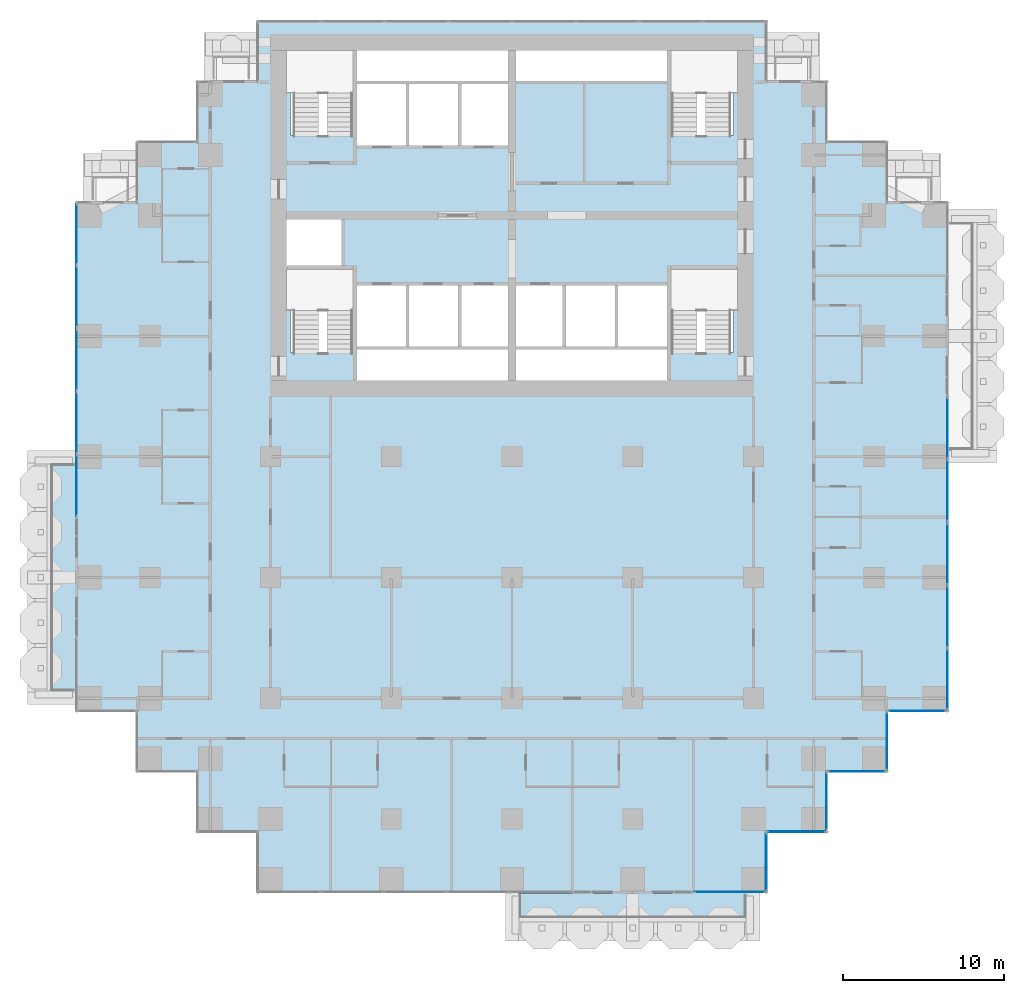
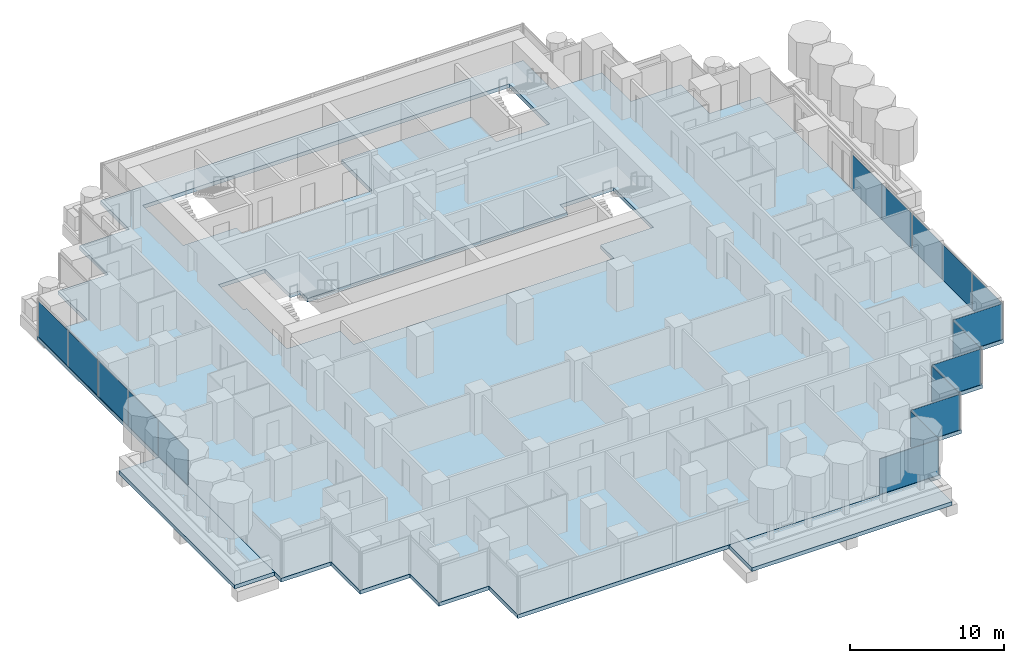
# One storey, part 8 of 19: 17 plates, 3 slabs, 11 elements without a shape of their own.
"""IFC4 building model written with IfcOpenShell, lengths in metres."""

import ifcopenshell
import ifcopenshell.guid

model = None  # the IFC model being written
_history = None  # IfcOwnerHistory: only IFC2X3 demands one
_inside = {}  # id of a spatial element -> (the spatial element, [elements in it])
_under = {}  # id of a project, library or spatial element -> (it, [spatial elements below it])
_declared = {}  # id of a project -> (the project, [libraries it declares])
_typed = {}  # id of a type object -> (the type object, [elements of that type])
_made_of = {}  # id of a material, layer set ... -> (it, [elements and type objects made of it])


def new_model(schema):
    """Start an empty IFC model of exactly this schema.

    Asked for "IFC4X3", IfcOpenShell would pick the latest addendum, in which some entities
    have other attributes; the version numbers below select the first issue.
    IFC2X3 requires an IfcOwnerHistory on every rooted entity: one is made here for all.
    """
    global model, _history
    if schema == "IFC4X3":
        model = ifcopenshell.file(schema_version=(4, 3, 0, 0))
    else:
        model = ifcopenshell.file(schema=schema)
    _inside.clear()
    _under.clear()
    _declared.clear()
    _typed.clear()
    _made_of.clear()
    _history = None
    if model.schema == "IFC2X3":
        org = make("IfcOrganization", Name="unknown")
        user = make(
            "IfcPersonAndOrganization",
            ThePerson=make("IfcPerson", FamilyName="unknown"),
            TheOrganization=org,
        )
        app = make(
            "IfcApplication",
            ApplicationDeveloper=org,
            Version="unknown",
            ApplicationFullName="unknown",
            ApplicationIdentifier="unknown",
        )
        _history = make(
            "IfcOwnerHistory",
            OwningUser=user,
            OwningApplication=app,
            ChangeAction="ADDED",
            CreationDate=0,
        )
    return model


def make(cls, **values):
    """One entity of the class cls with the attributes given. An attribute that is None is left unset."""
    return model.create_entity(
        cls, **{name: value for name, value in values.items() if value is not None}
    )


def rooted(cls, **values):
    """An entity with a GlobalId (a new one), such as an element, a storey or a relation."""
    return make(cls, GlobalId=ifcopenshell.guid.new(), OwnerHistory=_history, **values)


def si_unit(unit_type, name, prefix=None):
    """IfcSIUnit, for example si_unit("LENGTHUNIT", "METRE", prefix="MILLI")."""
    return make("IfcSIUnit", UnitType=unit_type, Prefix=prefix, Name=name)


def assignment(units):
    """IfcUnitAssignment: the units of a project."""
    return None if units is None else make("IfcUnitAssignment", Units=units)


def point(xyz):
    """IfcCartesianPoint."""
    return None if xyz is None else make("IfcCartesianPoint", Coordinates=xyz)


def direction(xyz):
    """IfcDirection."""
    return None if xyz is None else make("IfcDirection", DirectionRatios=xyz)


def frame(location, z_axis=None, x_axis=None):
    """IfcAxis2Placement3D, a coordinate frame: its origin and axes. An axis left out is left unset."""
    return make(
        "IfcAxis2Placement3D",
        Location=point(location),
        Axis=direction(z_axis),
        RefDirection=direction(x_axis),
    )


def frame_2d(location, x_axis=None):
    """IfcAxis2Placement2D, a coordinate frame in the plane: its origin and x axis."""
    return make(
        "IfcAxis2Placement2D", Location=point(location), RefDirection=direction(x_axis)
    )


def origin():
    """The frame at (0, 0, 0) with its axes left unset."""
    return frame((0.0, 0.0, 0.0))


def origin_2d():
    """The frame at (0, 0) in the plane with its x axis left unset."""
    return frame_2d((0.0, 0.0))


def place(relative_to, where):
    """IfcLocalPlacement: puts the frame where relative to a parent placement (None: the world)."""
    return make(
        "IfcLocalPlacement", PlacementRelTo=relative_to, RelativePlacement=where
    )


def context(
    kind, dimensions, precision=None, world=None, true_north=None, identifier=None
):
    """IfcGeometricRepresentationContext, for example the 3D "Model" context."""
    return make(
        "IfcGeometricRepresentationContext",
        ContextIdentifier=identifier,
        ContextType=kind,
        CoordinateSpaceDimension=dimensions,
        Precision=precision,
        WorldCoordinateSystem=world,
        TrueNorth=true_north,
    )


def subcontext(parent, identifier, kind, view, scale=None):
    """IfcGeometricRepresentationSubContext, for example "Body" below "Model"."""
    return make(
        "IfcGeometricRepresentationSubContext",
        ContextIdentifier=identifier,
        ContextType=kind,
        ParentContext=parent,
        TargetScale=scale,
        TargetView=view,
    )


def project(units=None, contexts=None):
    """IfcProject with its units and contexts."""
    return rooted(
        "IfcProject",
        Name="project",
        RepresentationContexts=contexts,
        UnitsInContext=assignment(units),
    )


def spatial(cls, under=None, at=None, **own):
    """A site, building, storey or space (cls), placed at a placement, below another one or the project."""
    s = rooted(cls, ObjectPlacement=at, **own)
    if under is not None:
        _under.setdefault(under.id(), (under, []))[1].append(s)
    return s


def polyline(points):
    """IfcPolyline through the points."""
    return make("IfcPolyline", Points=[point(p) for p in points])


def profile(cls, at=None, kind="AREA", **sizes):
    """A parametric profile (cls). Its sizes go by their IFC names, for example OverallWidth=200.0."""
    return make(cls, ProfileType=kind, Position=at, **sizes)


def rectangle(**sizes):
    """IfcRectangleProfileDef."""
    return profile("IfcRectangleProfileDef", **sizes)


def outline(outer, holes=None, kind="AREA"):
    """IfcArbitraryClosedProfileDef: a profile drawn as a closed curve; with holes, ...WithVoids."""
    if holes is None:
        return make("IfcArbitraryClosedProfileDef", ProfileType=kind, OuterCurve=outer)
    return make(
        "IfcArbitraryProfileDefWithVoids",
        ProfileType=kind,
        OuterCurve=outer,
        InnerCurves=holes,
    )


def extrude(swept, where, along, depth):
    """IfcExtrudedAreaSolid: the profile swept, set in the frame where, extruded along a direction by depth."""
    return make(
        "IfcExtrudedAreaSolid",
        SweptArea=swept,
        Position=where,
        ExtrudedDirection=direction(along),
        Depth=depth,
    )


def shape(context_of_items, identifier, shape_type, items):
    """IfcShapeRepresentation: the items that make up one representation, for example the "Body"."""
    return make(
        "IfcShapeRepresentation",
        ContextOfItems=context_of_items,
        RepresentationIdentifier=identifier,
        RepresentationType=shape_type,
        Items=items,
    )


def material(Name=None, Category=None):
    """IfcMaterial."""
    return make("IfcMaterial", Name=Name, Category=Category)


def layer(
    of_material, thickness, ventilated=None, Name=None, Category=None, Priority=None
):
    """IfcMaterialLayer: one layer of a wall or slab, of a material (None: an air gap)."""
    return make(
        "IfcMaterialLayer",
        Material=of_material,
        LayerThickness=thickness,
        IsVentilated=ventilated,
        Name=Name,
        Category=Category,
        Priority=Priority,
    )


def layer_set(layers, Name=None):
    """IfcMaterialLayerSet."""
    return make("IfcMaterialLayerSet", MaterialLayers=layers, LayerSetName=Name)


def made_of(thing, what):
    """Note that an element or type object is made of a material, layer set ...; save() writes the relation."""
    if what is not None:
        _made_of.setdefault(what.id(), (what, []))[1].append(thing)
    return thing


def type_object(cls, material=None, **own):
    """A type object (cls), such as IfcWallType, which elements share."""
    return made_of(rooted(cls, **own), material)


def element(
    cls,
    number,
    at=None,
    inside=None,
    cuts=None,
    type_object=None,
    material=None,
    context=None,
    identifier="Body",
    shape_type=None,
    held_by="IfcProductDefinitionShape",
    body=None,
    shapes=None,
    **own,
):
    """One element of the class cls, such as IfcWall. Its Tag is "e" and its number.

    at: its placement. inside: the storey or other place that contains it. cuts: it is an
    opening in that element (IfcRelVoidsElement). A single representation is given by context,
    identifier, shape_type and body (its items); several are given by shapes. held_by: the class
    of the entity that holds the representations. save() writes the other relations.
    """
    e = rooted(cls, Tag="e%d" % number, ObjectPlacement=at, **own)
    if body is not None:
        shapes = [shape(context, identifier, shape_type, body)]
    if shapes is not None:
        e.Representation = make(held_by, Representations=shapes)
    if inside is not None:
        _inside.setdefault(inside.id(), (inside, []))[1].append(e)
    if cuts is not None:
        rooted(
            "IfcRelVoidsElement", RelatingBuildingElement=cuts, RelatedOpeningElement=e
        )
    if type_object is not None:
        _typed.setdefault(type_object.id(), (type_object, []))[1].append(e)
    return made_of(e, material)


def aggregate(whole, parts):
    """IfcRelAggregates: a whole, such as a stair, and the parts it consists of."""
    return rooted("IfcRelAggregates", RelatingObject=whole, RelatedObjects=parts)


def save(model, path):
    """Write the relations noted so far, then the file.

    IfcRelAggregates (storeys below a building ...), IfcRelContainedInSpatialStructure (elements
    in a storey), IfcRelDefinesByType, IfcRelAssociatesMaterial and IfcRelDeclares: one each for
    every whole, place, type object, material and project.
    """
    for whole, parts in _under.values():
        aggregate(whole, parts)
    for where, things in _inside.values():
        rooted(
            "IfcRelContainedInSpatialStructure",
            RelatedElements=things,
            RelatingStructure=where,
        )
    for kind, things in _typed.values():
        rooted("IfcRelDefinesByType", RelatedObjects=things, RelatingType=kind)
    for what, things in _made_of.values():
        rooted("IfcRelAssociatesMaterial", RelatedObjects=things, RelatingMaterial=what)
    for by, libraries in _declared.values():
        rooted("IfcRelDeclares", RelatingContext=by, RelatedDefinitions=libraries)
    model.write(path)


model = new_model("IFC4")

# Units and contexts
model_context = context("Model", 3, precision=1e-05, world=origin(), true_north=direction((0.0, 1.0)))
body_context = subcontext(model_context, "Body", "Model", "MODEL_VIEW")
ifc_project = project(units=[si_unit("LENGTHUNIT", "METRE"), si_unit("AREAUNIT", "SQUARE_METRE"), si_unit("VOLUMEUNIT", "CUBIC_METRE"), si_unit("PLANEANGLEUNIT", "RADIAN"), si_unit("MASSUNIT", "GRAM", prefix="KILO")], contexts=[model_context])

# Site, building, storey
site_placement = place(None, origin())
site = spatial("IfcSite", under=ifc_project, at=site_placement, CompositionType="ELEMENT")
building_placement = place(site_placement, origin())
building = spatial("IfcBuilding", under=site, at=building_placement, Name="Pilkhan Gate Tower", CompositionType="ELEMENT")
storey_placement = place(building_placement, frame((0.0, 0.0, 79.10009765625)))
storey = spatial("IfcBuildingStorey", under=building, at=storey_placement, Name="L18", CompositionType="ELEMENT", Elevation=79.10009765625)

# Slabs
ifc_material_1 = material(Name="Concrete C60/75", Category="concrete")
ifc_layer_1 = layer(ifc_material_1, 0.300048828125)
ifc_layer_set_1 = layer_set([ifc_layer_1], Name="Balcony tray slab TR300")
slab_type_1 = type_object("IfcSlabType", Name="Balcony tray slab TR300", PredefinedType="FLOOR", material=ifc_layer_set_1)
slab_1_placement = place(storey_placement, frame((0.0, 0.0, -0.300048828125)))
element("IfcSlab", 1, at=slab_1_placement, inside=storey, type_object=slab_type_1, Name="Balcony tray L18 S", PredefinedType="FLOOR", context=body_context, shape_type="SweptSolid", body=[
    extrude(outline(polyline([(90.0, 37.39990234375), (90.0, 40.39990234375), (75.0, 40.39990234375), (75.0, 37.39990234375), (90.0, 37.39990234375)])), origin(), (0.0, 0.0, 1.0), 0.300048828125),
])
slab_2_placement = place(storey_placement, frame((0.0, 0.0, -0.300048828125)))
element("IfcSlab", 2, at=slab_2_placement, inside=storey, type_object=slab_type_1, Name="Balcony tray L18 W", PredefinedType="FLOOR", context=body_context, shape_type="SweptSolid", body=[
    extrude(outline(polyline([(47.89990234375, 52.5), (47.89990234375, 67.5), (44.89990234375, 67.5), (44.89990234375, 52.5), (47.89990234375, 52.5)])), origin(), (0.0, 0.0, 1.0), 0.300048828125),
])
ifc_material_2 = material(Name="Concrete C40/50", Category="concrete")
ifc_layer_2 = layer(ifc_material_2, 0.300048828125)
ifc_layer_set_2 = layer_set([ifc_layer_2], Name="Flat plate slab FP300")
slab_type_2 = type_object("IfcSlabType", Name="Flat plate slab FP300", PredefinedType="FLOOR", material=ifc_layer_set_2)
slab_3_placement = place(storey_placement, frame((0.0, 0.0, -0.300048828125)))
element("IfcSlab", 3, at=slab_3_placement, inside=storey, type_object=slab_type_2, Name="Floor slab L18", PredefinedType="FLOOR", context=body_context, shape_type="SweptSolid", body=[
    extrude(outline(polyline([(98.35009765625, 47.89990234375), (94.60009765625, 47.89990234375), (94.60009765625, 44.14990234375), (90.85009765625, 44.14990234375), (90.85009765625, 40.39990234375), (59.14990234375, 40.39990234375), (59.14990234375, 44.14990234375), (55.39990234375, 44.14990234375), (55.39990234375, 47.89990234375), (51.64990234375, 47.89990234375), (51.64990234375, 51.64990234375), (47.89990234375, 51.64990234375), (47.89990234375, 83.35009765625), (51.64990234375, 83.35009765625), (51.64990234375, 87.10009765625), (55.39990234375, 87.10009765625), (55.39990234375, 90.85009765625), (59.14990234375, 90.85009765625), (59.14990234375, 94.60009765625), (90.85009765625, 94.60009765625), (90.85009765625, 90.85009765625), (94.60009765625, 90.85009765625), (94.60009765625, 87.10009765625), (98.35009765625, 87.10009765625), (98.35009765625, 83.35009765625), (102.10009765625, 83.35009765625), (102.10009765625, 51.64990234375), (98.35009765625, 51.64990234375), (98.35009765625, 47.89990234375)]), holes=[polyline([(65.25, 87.5), (65.25, 86.75), (68.5, 86.75), (71.75, 86.75), (75.0, 86.75), (75.0, 90.75), (84.75, 90.75), (84.75, 87.5), (88.75, 87.5), (88.75, 92.75), (84.75, 92.75), (75.0, 92.75), (65.25, 92.75), (61.25, 92.75), (61.25, 87.5), (65.25, 87.5)]), polyline([(75.0, 72.25), (84.75, 72.25), (84.75, 74.0), (88.75, 74.0), (88.75, 79.25), (84.75, 79.25), (84.75, 78.25), (81.5, 78.25), (78.25, 78.25), (75.0, 78.25), (71.75, 78.25), (68.5, 78.25), (65.25, 78.25), (65.25, 79.25), (64.5, 79.25), (64.5, 82.5), (61.25, 82.5), (61.0, 82.5), (61.0, 79.25), (61.25, 79.25), (61.25, 74.0), (65.25, 74.0), (65.25, 72.25), (75.0, 72.25)])]), origin(), (0.0, 0.0, 1.0), 0.300048828125),
])

# Curtain wall, plates
ifc_material_3 = material(Name="Pale anodised aluminium, clear low-iron double glazing", Category="aluminium")
curtain_wall_type = type_object("IfcCurtainWallType", Name="Hotel unitised curtain wall CW-H", PredefinedType="USERDEFINED", material=ifc_material_3)
curtain_wall_1_placement = place(storey_placement, origin())
curtain_wall_1 = element("IfcCurtainWall", 4, at=curtain_wall_1_placement, inside=storey, type_object=curtain_wall_type, Name="Hotel unitised curtain wall CW-H L18 E", ObjectType="UNITISED CURTAIN WALL", PredefinedType="USERDEFINED")
ifc_material_4 = material(Name="Clear low-iron double glazing", Category="glass")
ifc_layer_3 = layer(ifc_material_4, 0.035888671875)
ifc_layer_set_3 = layer_set([ifc_layer_3], Name="Glass panel CW-H 36")
plate_type = type_object("IfcPlateType", Name="Glass panel CW-H 36", PredefinedType="CURTAIN_PANEL", material=ifc_layer_set_3)
plate_1_placement = place(storey_placement, frame((102.044921875, 53.67578125, 0.0), z_axis=(0.0, 0.0, 1.0), x_axis=(0.0, 1.0, 0.0)))
plate_1 = element("IfcPlate", 5, at=plate_1_placement, type_object=plate_type, Name="CW-H panel 1", PredefinedType="CURTAIN_PANEL", context=body_context, shape_type="SweptSolid", body=[
    extrude(rectangle(XDim=3.8115234375, YDim=0.035888671875, at=origin_2d()), origin(), (0.0, 0.0, 1.0), 2.820068359375),
])
plate_2_placement = place(storey_placement, frame((102.044921875, 57.568603515625, 0.0), z_axis=(0.0, 0.0, 1.0), x_axis=(0.0, 1.0, 0.0)))
plate_2 = element("IfcPlate", 6, at=plate_2_placement, type_object=plate_type, Name="CW-H panel 2", PredefinedType="CURTAIN_PANEL", context=body_context, shape_type="SweptSolid", body=[
    extrude(rectangle(XDim=3.843994140625, YDim=0.035888671875, at=origin_2d()), origin(), (0.0, 0.0, 1.0), 2.820068359375),
])
plate_3_placement = place(storey_placement, frame((102.044921875, 61.461181640625, 0.0), z_axis=(0.0, 0.0, 1.0), x_axis=(0.0, 1.0, 0.0)))
plate_3 = element("IfcPlate", 7, at=plate_3_placement, type_object=plate_type, Name="CW-H panel 3", PredefinedType="CURTAIN_PANEL", context=body_context, shape_type="SweptSolid", body=[
    extrude(rectangle(XDim=3.8115234375, YDim=0.035888671875, at=origin_2d()), origin(), (0.0, 0.0, 1.0), 2.820068359375),
])
aggregate(curtain_wall_1, [plate_1, plate_2, plate_3])

curtain_wall_2_placement = place(storey_placement, origin())
curtain_wall_2 = element("IfcCurtainWall", 8, at=curtain_wall_2_placement, inside=storey, type_object=curtain_wall_type, Name="Hotel unitised curtain wall CW-H L18 E", ObjectType="UNITISED CURTAIN WALL", PredefinedType="USERDEFINED")
plate_4_placement = place(storey_placement, frame((102.044921875, 65.40283203125, 0.0), z_axis=(0.0, 0.0, 1.0), x_axis=(0.0, 1.0, 0.0)))
plate_4 = element("IfcPlate", 9, at=plate_4_placement, type_object=plate_type, Name="CW-H panel 1", PredefinedType="CURTAIN_PANEL", context=body_context, shape_type="SweptSolid", body=[
    extrude(rectangle(XDim=3.8115234375, YDim=0.035888671875, at=origin_2d()), origin(), (0.0, 0.0, 1.0), 2.820068359375),
])
plate_5_placement = place(storey_placement, frame((102.044921875, 69.279296875, 0.0), z_axis=(0.0, 0.0, 1.0), x_axis=(0.0, 1.0, 0.0)))
plate_5 = element("IfcPlate", 10, at=plate_5_placement, type_object=plate_type, Name="CW-H panel 2", PredefinedType="CURTAIN_PANEL", context=body_context, shape_type="SweptSolid", body=[
    extrude(rectangle(XDim=3.8115234375, YDim=0.035888671875, at=origin_2d()), origin(), (0.0, 0.0, 1.0), 2.820068359375),
])
aggregate(curtain_wall_2, [plate_4, plate_5])

curtain_wall_3_placement = place(storey_placement, origin())
curtain_wall_3 = element("IfcCurtainWall", 11, at=curtain_wall_3_placement, inside=storey, type_object=curtain_wall_type, Name="Hotel unitised curtain wall CW-H L18 W", ObjectType="UNITISED CURTAIN WALL", PredefinedType="USERDEFINED")
plate_6_placement = place(storey_placement, frame((47.955078125, 65.720703125, 0.0), z_axis=(0.0, 0.0, 1.0), x_axis=(0.0, 1.0, 0.0)))
plate_6 = element("IfcPlate", 12, at=plate_6_placement, type_object=plate_type, Name="CW-H panel 1", PredefinedType="CURTAIN_PANEL", context=body_context, shape_type="SweptSolid", body=[
    extrude(rectangle(XDim=3.8115234375, YDim=0.035888671875, at=origin_2d()), origin(), (0.0, 0.0, 1.0), 2.820068359375),
])
plate_7_placement = place(storey_placement, frame((47.955078125, 69.613525390625, 0.0), z_axis=(0.0, 0.0, 1.0), x_axis=(0.0, 1.0, 0.0)))
plate_7 = element("IfcPlate", 13, at=plate_7_placement, type_object=plate_type, Name="CW-H panel 2", PredefinedType="CURTAIN_PANEL", context=body_context, shape_type="SweptSolid", body=[
    extrude(rectangle(XDim=3.843994140625, YDim=0.035888671875, at=origin_2d()), origin(), (0.0, 0.0, 1.0), 2.820068359375),
])
plate_8_placement = place(storey_placement, frame((47.955078125, 73.50634765625, 0.0), z_axis=(0.0, 0.0, 1.0), x_axis=(0.0, 1.0, 0.0)))
plate_8 = element("IfcPlate", 14, at=plate_8_placement, type_object=plate_type, Name="CW-H panel 3", PredefinedType="CURTAIN_PANEL", context=body_context, shape_type="SweptSolid", body=[
    extrude(rectangle(XDim=3.8115234375, YDim=0.035888671875, at=origin_2d()), origin(), (0.0, 0.0, 1.0), 2.820068359375),
])
aggregate(curtain_wall_3, [plate_6, plate_7, plate_8])

curtain_wall_4_placement = place(storey_placement, origin())
curtain_wall_4 = element("IfcCurtainWall", 15, at=curtain_wall_4_placement, inside=storey, type_object=curtain_wall_type, Name="Hotel unitised curtain wall CW-H L18 W", ObjectType="UNITISED CURTAIN WALL", PredefinedType="USERDEFINED")
plate_9_placement = place(storey_placement, frame((47.955078125, 77.44775390625, 0.0), z_axis=(0.0, 0.0, 1.0), x_axis=(0.0, 1.0, 0.0)))
plate_9 = element("IfcPlate", 16, at=plate_9_placement, type_object=plate_type, Name="CW-H panel 1", PredefinedType="CURTAIN_PANEL", context=body_context, shape_type="SweptSolid", body=[
    extrude(rectangle(XDim=3.8115234375, YDim=0.035888671875, at=origin_2d()), origin(), (0.0, 0.0, 1.0), 2.820068359375),
])
plate_10_placement = place(storey_placement, frame((47.955078125, 81.32421875, 0.0), z_axis=(0.0, 0.0, 1.0), x_axis=(0.0, 1.0, 0.0)))
plate_10 = element("IfcPlate", 17, at=plate_10_placement, type_object=plate_type, Name="CW-H panel 2", PredefinedType="CURTAIN_PANEL", context=body_context, shape_type="SweptSolid", body=[
    extrude(rectangle(XDim=3.8115234375, YDim=0.035888671875, at=origin_2d()), origin(), (0.0, 0.0, 1.0), 2.820068359375),
])
aggregate(curtain_wall_4, [plate_9, plate_10])

# Curtain wall, plate
curtain_wall_5_placement = place(storey_placement, origin())
curtain_wall_5 = element("IfcCurtainWall", 18, at=curtain_wall_5_placement, inside=storey, type_object=curtain_wall_type, Name="Hotel unitised curtain wall CW-H L18 S", ObjectType="UNITISED CURTAIN WALL", PredefinedType="USERDEFINED")
plate_11_placement = place(storey_placement, frame((88.5224609375, 40.455078125, 0.0), z_axis=(0.0, 0.0, 1.0), x_axis=(1.0, 0.0, 0.0)))
plate_11 = element("IfcPlate", 19, at=plate_11_placement, type_object=plate_type, Name="CW-H panel 1", PredefinedType="CURTAIN_PANEL", context=body_context, shape_type="SweptSolid", body=[
    extrude(rectangle(XDim=4.4150390625, YDim=0.035888671875, at=origin_2d()), origin(), (0.0, 0.0, 1.0), 2.820068359375),
])
aggregate(curtain_wall_5, [plate_11])

curtain_wall_6_placement = place(storey_placement, origin())
curtain_wall_6 = element("IfcCurtainWall", 20, at=curtain_wall_6_placement, inside=storey, type_object=curtain_wall_type, Name="Hotel unitised curtain wall CW-H L18 E", ObjectType="UNITISED CURTAIN WALL", PredefinedType="USERDEFINED")
plate_12_placement = place(storey_placement, frame((90.794921875, 42.330078125, 0.0), z_axis=(0.0, 0.0, 1.0), x_axis=(0.0, 1.0, 0.0)))
plate_12 = element("IfcPlate", 21, at=plate_12_placement, type_object=plate_type, Name="CW-H panel 1", PredefinedType="CURTAIN_PANEL", context=body_context, shape_type="SweptSolid", body=[
    extrude(rectangle(XDim=3.6201171875, YDim=0.035888671875, at=origin_2d()), origin(), (0.0, 0.0, 1.0), 2.820068359375),
])
aggregate(curtain_wall_6, [plate_12])

curtain_wall_7_placement = place(storey_placement, origin())
curtain_wall_7 = element("IfcCurtainWall", 22, at=curtain_wall_7_placement, inside=storey, type_object=curtain_wall_type, Name="Hotel unitised curtain wall CW-H L18 S", ObjectType="UNITISED CURTAIN WALL", PredefinedType="USERDEFINED")
plate_13_placement = place(storey_placement, frame((92.669921875, 44.205078125, 0.0), z_axis=(0.0, 0.0, 1.0), x_axis=(1.0, 0.0, 0.0)))
plate_13 = element("IfcPlate", 23, at=plate_13_placement, type_object=plate_type, Name="CW-H panel 1", PredefinedType="CURTAIN_PANEL", context=body_context, shape_type="SweptSolid", body=[
    extrude(rectangle(XDim=3.6201171875, YDim=0.035888671875, at=origin_2d()), origin(), (0.0, 0.0, 1.0), 2.820068359375),
])
aggregate(curtain_wall_7, [plate_13])

curtain_wall_8_placement = place(storey_placement, origin())
curtain_wall_8 = element("IfcCurtainWall", 24, at=curtain_wall_8_placement, inside=storey, type_object=curtain_wall_type, Name="Hotel unitised curtain wall CW-H L18 E", ObjectType="UNITISED CURTAIN WALL", PredefinedType="USERDEFINED")
plate_14_placement = place(storey_placement, frame((94.544921875, 46.080078125, 0.0), z_axis=(0.0, 0.0, 1.0), x_axis=(0.0, 1.0, 0.0)))
plate_14 = element("IfcPlate", 25, at=plate_14_placement, type_object=plate_type, Name="CW-H panel 1", PredefinedType="CURTAIN_PANEL", context=body_context, shape_type="SweptSolid", body=[
    extrude(rectangle(XDim=3.6201171875, YDim=0.035888671875, at=origin_2d()), origin(), (0.0, 0.0, 1.0), 2.820068359375),
])
aggregate(curtain_wall_8, [plate_14])

curtain_wall_9_placement = place(storey_placement, origin())
curtain_wall_9 = element("IfcCurtainWall", 26, at=curtain_wall_9_placement, inside=storey, type_object=curtain_wall_type, Name="Hotel unitised curtain wall CW-H L18 S", ObjectType="UNITISED CURTAIN WALL", PredefinedType="USERDEFINED")
plate_15_placement = place(storey_placement, frame((96.419921875, 47.955078125, 0.0), z_axis=(0.0, 0.0, 1.0), x_axis=(1.0, 0.0, 0.0)))
plate_15 = element("IfcPlate", 27, at=plate_15_placement, type_object=plate_type, Name="CW-H panel 1", PredefinedType="CURTAIN_PANEL", context=body_context, shape_type="SweptSolid", body=[
    extrude(rectangle(XDim=3.6201171875, YDim=0.035888671875, at=origin_2d()), origin(), (0.0, 0.0, 1.0), 2.820068359375),
])
aggregate(curtain_wall_9, [plate_15])

curtain_wall_10_placement = place(storey_placement, origin())
curtain_wall_10 = element("IfcCurtainWall", 28, at=curtain_wall_10_placement, inside=storey, type_object=curtain_wall_type, Name="Hotel unitised curtain wall CW-H L18 E", ObjectType="UNITISED CURTAIN WALL", PredefinedType="USERDEFINED")
plate_16_placement = place(storey_placement, frame((98.294921875, 49.830078125, 0.0), z_axis=(0.0, 0.0, 1.0), x_axis=(0.0, 1.0, 0.0)))
plate_16 = element("IfcPlate", 29, at=plate_16_placement, type_object=plate_type, Name="CW-H panel 1", PredefinedType="CURTAIN_PANEL", context=body_context, shape_type="SweptSolid", body=[
    extrude(rectangle(XDim=3.6201171875, YDim=0.035888671875, at=origin_2d()), origin(), (0.0, 0.0, 1.0), 2.820068359375),
])
aggregate(curtain_wall_10, [plate_16])

curtain_wall_11_placement = place(storey_placement, origin())
curtain_wall_11 = element("IfcCurtainWall", 30, at=curtain_wall_11_placement, inside=storey, type_object=curtain_wall_type, Name="Hotel unitised curtain wall CW-H L18 S", ObjectType="UNITISED CURTAIN WALL", PredefinedType="USERDEFINED")
plate_17_placement = place(storey_placement, frame((100.169921875, 51.705078125, 0.0), z_axis=(0.0, 0.0, 1.0), x_axis=(1.0, 0.0, 0.0)))
plate_17 = element("IfcPlate", 31, at=plate_17_placement, type_object=plate_type, Name="CW-H panel 1", PredefinedType="CURTAIN_PANEL", context=body_context, shape_type="SweptSolid", body=[
    extrude(rectangle(XDim=3.6201171875, YDim=0.035888671875, at=origin_2d()), origin(), (0.0, 0.0, 1.0), 2.820068359375),
])
aggregate(curtain_wall_11, [plate_17])

save(model, "model.ifc")
